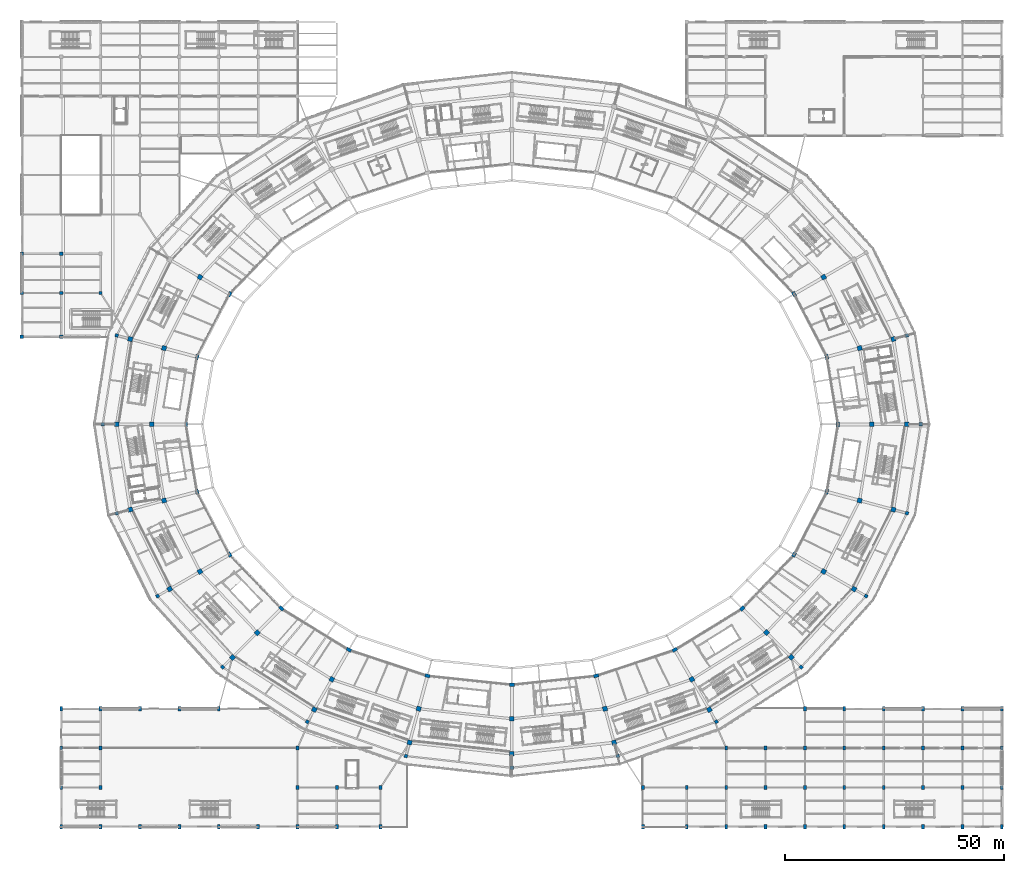
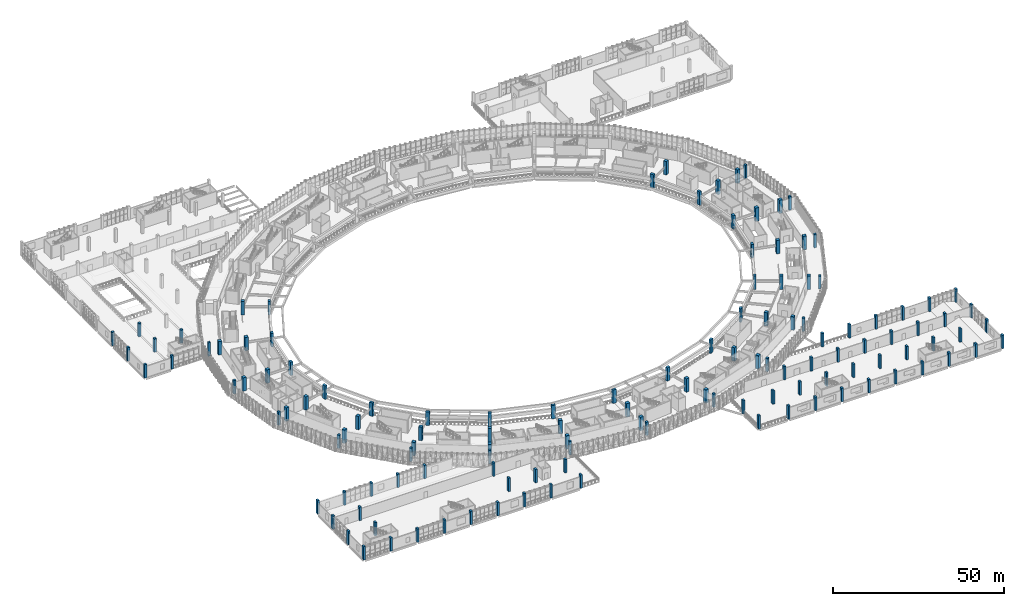
# One storey, part 1 of 179: 127 columns.
"""IFC4 building model written with IfcOpenShell, lengths in metres."""

from ifc_helpers import new_model, si_unit, direction, frame, origin, origin_2d, place, context, subcontext, project, spatial, rectangle, extrude, material, material_profile, profile_set, type_object, element, save


model = new_model("IFC4")

# Units and contexts
model_context = context("Model", 3, precision=1e-05, world=origin(), true_north=direction((0.0, 1.0)))
body_context = subcontext(model_context, "Body", "Model", "MODEL_VIEW")
ifc_project = project(units=[si_unit("LENGTHUNIT", "METRE"), si_unit("AREAUNIT", "SQUARE_METRE"), si_unit("VOLUMEUNIT", "CUBIC_METRE"), si_unit("PLANEANGLEUNIT", "RADIAN"), si_unit("MASSUNIT", "GRAM", prefix="KILO")], contexts=[model_context])

# Site, building, storey
site_placement = place(None, origin())
site = spatial("IfcSite", under=ifc_project, at=site_placement, CompositionType="ELEMENT")
building_placement = place(site_placement, origin())
building = spatial("IfcBuilding", under=site, at=building_placement, Name="Zevraka Park Crest Stadium", CompositionType="ELEMENT")
storey_placement = place(building_placement, frame((0.0, 0.0, 10.199951171875)))
storey = spatial("IfcBuildingStorey", under=building, at=storey_placement, Name="L02", CompositionType="ELEMENT", Elevation=10.199951171875)

# Columns
ifc_material_1 = material(Name="Concrete C40/50", Category="concrete")
ifc_material_profile_1 = material_profile(ifc_material_1, rectangle(XDim=1.050048828125, YDim=1.050048828125, at=origin_2d()), Name="RC 1050x1050")
ifc_profile_set_1 = profile_set([ifc_material_profile_1], Name="Concrete C40/50")
column_type_1 = type_object("IfcColumnType", Name="C03", PredefinedType="COLUMN", material=ifc_profile_set_1)
for number, where, z_axis, x_axis, name in (
    (1, (202.300048828125, 92.0, 0.0), (0.0, 0.0, 1.0), (1.0, 0.0, 0.0), "Perimeter Ring Column C03 L02-D-00"),
    (2, (194.300048828125, 92.0, 0.0), (0.0, 0.0, 1.0), (1.0, 0.0, 0.0), "Concourse Mid Column C03 L02-C-00"),
    (3, (199.222900390625, 111.489013671875, 0.0), (0.0, 0.0, 1.0), (0.965925826289, 0.258819045103, 0.0), "Perimeter Ring Column C03 L02-D-01"),
    (4, (191.49609375, 109.4189453125, 0.0), (0.0, 0.0, 1.0), (0.965925826289, 0.258819045103, 0.0), "Concourse Mid Column C03 L02-C-01"),
    (5, (183.27392578125, 125.64990234375, 0.0), (0.0, 0.0, 1.0), (0.866025403784, 0.5, 0.0), "Concourse Mid Column C03 L02-C-02"),
    (6, (40.72607421875, 125.64990234375, 0.0), (0.0, 0.0, 1.0), (-0.866025403784, 0.5, 0.0), "Concourse Mid Column C03 L02-C-10"),
    (7, (24.777099609375, 111.489013671875, 0.0), (0.0, 0.0, 1.0), (-0.965925826289, 0.258819045103, 0.0), "Perimeter Ring Column C03 L02-D-11"),
    (8, (32.50390625, 109.4189453125, 0.0), (0.0, 0.0, 1.0), (-0.965925826289, 0.258819045103, 0.0), "Concourse Mid Column C03 L02-C-11"),
    (9, (21.699951171875, 92.0, 0.0), (0.0, 0.0, 1.0), (1.0, 0.0, 0.0), "Perimeter Ring Column C03 L02-D-12"),
    (10, (29.699951171875, 92.0, 0.0), (0.0, 0.0, 1.0), (1.0, 0.0, 0.0), "Concourse Mid Column C03 L02-C-12"),
    (11, (24.777099609375, 72.510986328125, 0.0), (0.0, 0.0, 1.0), (0.965925826289, 0.258819045103, 0.0), "Perimeter Ring Column C03 L02-D-13"),
    (12, (32.50390625, 74.5810546875, 0.0), (0.0, 0.0, 1.0), (0.965925826289, 0.258819045103, 0.0), "Concourse Mid Column C03 L02-C-13"),
    (13, (33.798095703125, 54.35009765625, 0.0), (0.0, 0.0, 1.0), (0.866025403784, 0.5, 0.0), "Perimeter Ring Column C03 L02-D-14"),
    (14, (40.72607421875, 58.35009765625, 0.0), (0.0, 0.0, 1.0), (0.866025403784, 0.5, 0.0), "Concourse Mid Column C03 L02-C-14"),
    (15, (48.14794921875, 38.7548828125, 0.0), (0.0, 0.0, 1.0), (0.707106781187, 0.707106781187, 0.0), "Perimeter Ring Column C03 L02-D-15"),
    (16, (53.804931640625, 44.412109375, 0.0), (0.0, 0.0, 1.0), (0.707106781187, 0.707106781187, 0.0), "Concourse Mid Column C03 L02-C-15"),
    (17, (66.85009765625, 26.7880859375, 0.0), (0.0, 0.0, 1.0), (0.5, 0.866025403784, 0.0), "Perimeter Ring Column C03 L02-D-16"),
    (18, (70.85009765625, 33.716064453125, 0.0), (0.0, 0.0, 1.0), (0.5, 0.866025403784, 0.0), "Concourse Mid Column C03 L02-C-16"),
    (19, (88.62890625, 19.26611328125, 0.0), (0.0, 0.0, 1.0), (0.258819045103, 0.965925826289, 0.0), "Perimeter Ring Column C03 L02-D-17"),
    (20, (90.698974609375, 26.992919921875, 0.0), (0.0, 0.0, 1.0), (0.258819045103, 0.965925826289, 0.0), "Concourse Mid Column C03 L02-C-17"),
    (21, (112.0, 16.699951171875, 0.0), (0.0, 0.0, 1.0), (0.0, 1.0, 0.0), "Perimeter Ring Column C03 L02-D-18"),
    (22, (112.0, 24.699951171875, 0.0), (0.0, 0.0, 1.0), (0.0, 1.0, 0.0), "Concourse Mid Column C03 L02-C-18"),
    (23, (135.37109375, 19.26611328125, 0.0), (0.0, 0.0, 1.0), (-0.258819045103, 0.965925826289, 0.0), "Perimeter Ring Column C03 L02-D-19"),
    (24, (133.301025390625, 26.992919921875, 0.0), (0.0, 0.0, 1.0), (-0.258819045103, 0.965925826289, 0.0), "Concourse Mid Column C03 L02-C-19"),
    (25, (157.14990234375, 26.7880859375, 0.0), (0.0, 0.0, 1.0), (-0.5, 0.866025403784, 0.0), "Perimeter Ring Column C03 L02-D-20"),
    (26, (153.14990234375, 33.716064453125, 0.0), (0.0, 0.0, 1.0), (-0.5, 0.866025403784, 0.0), "Concourse Mid Column C03 L02-C-20"),
    (27, (175.85205078125, 38.7548828125, 0.0), (0.0, 0.0, 1.0), (-0.707106781187, 0.707106781187, 0.0), "Perimeter Ring Column C03 L02-D-21"),
    (28, (170.195068359375, 44.412109375, 0.0), (0.0, 0.0, 1.0), (-0.707106781187, 0.707106781187, 0.0), "Concourse Mid Column C03 L02-C-21"),
    (29, (190.201904296875, 54.35009765625, 0.0), (0.0, 0.0, 1.0), (-0.866025403784, 0.5, 0.0), "Perimeter Ring Column C03 L02-D-22"),
    (30, (183.27392578125, 58.35009765625, 0.0), (0.0, 0.0, 1.0), (-0.866025403784, 0.5, 0.0), "Concourse Mid Column C03 L02-C-22"),
    (31, (199.222900390625, 72.510986328125, 0.0), (0.0, 0.0, 1.0), (-0.965925826289, 0.258819045103, 0.0), "Perimeter Ring Column C03 L02-D-23"),
    (32, (191.49609375, 74.5810546875, 0.0), (0.0, 0.0, 1.0), (-0.965925826289, 0.258819045103, 0.0), "Concourse Mid Column C03 L02-C-23"),
):
    element("IfcColumn", number, at=place(storey_placement, frame(where, z_axis=z_axis, x_axis=x_axis)), inside=storey, type_object=column_type_1, Name=name, PredefinedType="COLUMN", context=body_context, shape_type="SweptSolid", body=[
        extrude(rectangle(XDim=1.050048828125, YDim=1.050048828125, at=origin_2d()), origin(), (0.0, 0.0, 1.0), 4.800048828125),
    ])
ifc_material_2 = material(Name="Concrete C40/50", Category="concrete")
ifc_material_profile_2 = material_profile(ifc_material_2, rectangle(XDim=0.75, YDim=0.75, at=origin_2d()), Name="RC 750x750")
ifc_profile_set_2 = profile_set([ifc_material_profile_2], Name="Concrete C40/50")
column_type_2 = type_object("IfcColumnType", Name="C05", PredefinedType="COLUMN", material=ifc_profile_set_2)
for number, where, z_axis, x_axis, name in (
    (33, (205.5, 92.0, 0.0), (0.0, 0.0, 1.0), (1.0, 0.0, 0.0), "Arcade Cumba Column C05 L02-E-00"),
    (34, (202.31396484375, 112.31689453125, 0.0), (0.0, 0.0, 1.0), (0.965925826289, 0.258819045103, 0.0), "Arcade Cumba Column C05 L02-E-01"),
    (35, (21.68603515625, 112.31689453125, 0.0), (0.0, 0.0, 1.0), (-0.965925826289, 0.258819045103, 0.0), "Arcade Cumba Column C05 L02-E-11"),
    (36, (18.5, 92.0, 0.0), (0.0, 0.0, 1.0), (1.0, 0.0, 0.0), "Arcade Cumba Column C05 L02-E-12"),
    (37, (21.68603515625, 71.68310546875, 0.0), (0.0, 0.0, 1.0), (0.965925826289, 0.258819045103, 0.0), "Arcade Cumba Column C05 L02-E-13"),
    (38, (31.027099609375, 52.75, 0.0), (0.0, 0.0, 1.0), (0.866025403784, 0.5, 0.0), "Arcade Cumba Column C05 L02-E-14"),
    (39, (45.885986328125, 36.491943359375, 0.0), (0.0, 0.0, 1.0), (0.707106781187, 0.707106781187, 0.0), "Arcade Cumba Column C05 L02-E-15"),
    (40, (65.25, 24.01708984375, 0.0), (0.0, 0.0, 1.0), (0.5, 0.866025403784, 0.0), "Arcade Cumba Column C05 L02-E-16"),
    (41, (87.800048828125, 16.175048828125, 0.0), (0.0, 0.0, 1.0), (0.258819045103, 0.965925826289, 0.0), "Arcade Cumba Column C05 L02-E-17"),
    (42, (112.0, 13.5, 0.0), (0.0, 0.0, 1.0), (0.0, 1.0, 0.0), "Arcade Cumba Column C05 L02-E-18"),
    (43, (136.199951171875, 16.175048828125, 0.0), (0.0, 0.0, 1.0), (-0.258819045103, 0.965925826289, 0.0), "Arcade Cumba Column C05 L02-E-19"),
    (44, (158.75, 24.01708984375, 0.0), (0.0, 0.0, 1.0), (-0.5, 0.866025403784, 0.0), "Arcade Cumba Column C05 L02-E-20"),
    (45, (178.114013671875, 36.491943359375, 0.0), (0.0, 0.0, 1.0), (-0.707106781187, 0.707106781187, 0.0), "Arcade Cumba Column C05 L02-E-21"),
    (46, (192.972900390625, 52.75, 0.0), (0.0, 0.0, 1.0), (-0.866025403784, 0.5, 0.0), "Arcade Cumba Column C05 L02-E-22"),
    (47, (202.31396484375, 71.68310546875, 0.0), (0.0, 0.0, 1.0), (-0.965925826289, 0.258819045103, 0.0), "Arcade Cumba Column C05 L02-E-23"),
    (48, (0.0, 112.0, 0.0), (0.0, 0.0, 1.0), (1.0, 0.0, 0.0), "Wing Column C05 L02-1/N"),
    (49, (0.0, 122.0, 0.0), (0.0, 0.0, 1.0), (1.0, 0.0, 0.0), "Wing Column C05 L02-1/P"),
    (50, (0.0, 131.0, 0.0), (0.0, 0.0, 1.0), (1.0, 0.0, 0.0), "Wing Column C05 L02-1/Q"),
    (51, (9.0, 112.0, 0.0), (0.0, 0.0, 1.0), (1.0, 0.0, 0.0), "Wing Column C05 L02-2/N"),
    (52, (9.0, 122.0, 0.0), (0.0, 0.0, 1.0), (1.0, 0.0, 0.0), "Wing Column C05 L02-2/P"),
    (53, (9.0, 131.0, 0.0), (0.0, 0.0, 1.0), (1.0, 0.0, 0.0), "Wing Column C05 L02-2/Q"),
    (54, (18.0, 122.0, 0.0), (0.0, 0.0, 1.0), (1.0, 0.0, 0.0), "Wing Column C05 L02-3/P"),
):
    element("IfcColumn", number, at=place(storey_placement, frame(where, z_axis=z_axis, x_axis=x_axis)), inside=storey, type_object=column_type_2, Name=name, PredefinedType="COLUMN", context=body_context, shape_type="SweptSolid", body=[
        extrude(rectangle(XDim=0.75, YDim=0.75, at=origin_2d()), origin(), (0.0, 0.0, 1.0), 4.800048828125),
    ])
ifc_material_3 = material(Name="Concrete C40/50", Category="concrete")
ifc_material_profile_3 = material_profile(ifc_material_3, rectangle(XDim=0.75, YDim=1.14990234375, at=origin_2d()), Name="RC 1150x750")
ifc_profile_set_3 = profile_set([ifc_material_profile_3], Name="Concrete C40/50")
column_type_3 = type_object("IfcColumnType", Name="C10", PredefinedType="COLUMN", material=ifc_profile_set_3)
for number, where, z_axis, x_axis, name in (
    (55, (186.5, 92.0, 0.0), (0.0, 0.0, 1.0), (1.0, 0.0, 0.0), "Bowl Main Column C10 L02-B-00"),
    (56, (183.9609375, 107.39990234375, 0.0), (0.0, 0.0, 1.0), (0.965925826289, 0.258819045103, 0.0), "Bowl Main Column C10 L02-B-01"),
    (57, (176.51904296875, 121.75, 0.0), (0.0, 0.0, 1.0), (0.866025403784, 0.5, 0.0), "Bowl Main Column C10 L02-B-02"),
    (58, (47.48095703125, 121.75, 0.0), (0.0, 0.0, 1.0), (-0.866025403784, 0.5, 0.0), "Bowl Main Column C10 L02-B-10"),
    (59, (40.0390625, 107.39990234375, 0.0), (0.0, 0.0, 1.0), (-0.965925826289, 0.258819045103, 0.0), "Bowl Main Column C10 L02-B-11"),
    (60, (37.5, 92.0, 0.0), (0.0, 0.0, 1.0), (1.0, 0.0, 0.0), "Bowl Main Column C10 L02-B-12"),
    (61, (40.0390625, 76.60009765625, 0.0), (0.0, 0.0, 1.0), (0.965925826289, 0.258819045103, 0.0), "Bowl Main Column C10 L02-B-13"),
    (62, (47.48095703125, 62.25, 0.0), (0.0, 0.0, 1.0), (0.866025403784, 0.5, 0.0), "Bowl Main Column C10 L02-B-14"),
    (63, (59.321044921875, 49.927001953125, 0.0), (0.0, 0.0, 1.0), (0.707106781187, 0.707106781187, 0.0), "Bowl Main Column C10 L02-B-15"),
    (64, (74.75, 40.470947265625, 0.0), (0.0, 0.0, 1.0), (0.5, 0.866025403784, 0.0), "Bowl Main Column C10 L02-B-16"),
    (65, (92.718017578125, 34.527099609375, 0.0), (0.0, 0.0, 1.0), (0.258819045103, 0.965925826289, 0.0), "Bowl Main Column C10 L02-B-17"),
    (66, (112.0, 32.5, 0.0), (0.0, 0.0, 1.0), (0.0, 1.0, 0.0), "Bowl Main Column C10 L02-B-18"),
    (67, (131.281982421875, 34.527099609375, 0.0), (0.0, 0.0, 1.0), (-0.258819045103, 0.965925826289, 0.0), "Bowl Main Column C10 L02-B-19"),
    (68, (149.25, 40.470947265625, 0.0), (0.0, 0.0, 1.0), (-0.5, 0.866025403784, 0.0), "Bowl Main Column C10 L02-B-20"),
    (69, (164.678955078125, 49.927001953125, 0.0), (0.0, 0.0, 1.0), (-0.707106781187, 0.707106781187, 0.0), "Bowl Main Column C10 L02-B-21"),
    (70, (176.51904296875, 62.25, 0.0), (0.0, 0.0, 1.0), (-0.866025403784, 0.5, 0.0), "Bowl Main Column C10 L02-B-22"),
    (71, (183.9609375, 76.60009765625, 0.0), (0.0, 0.0, 1.0), (-0.965925826289, 0.258819045103, 0.0), "Bowl Main Column C10 L02-B-23"),
):
    element("IfcColumn", number, at=place(storey_placement, frame(where, z_axis=z_axis, x_axis=x_axis)), inside=storey, type_object=column_type_3, Name=name, PredefinedType="COLUMN", context=body_context, shape_type="SweptSolid", body=[
        extrude(rectangle(XDim=0.75, YDim=1.14990234375, at=origin_2d()), origin(), (0.0, 0.0, 1.0), 4.800048828125),
    ])
ifc_material_4 = material(Name="Concrete C40/50", Category="concrete")
ifc_material_profile_4 = material_profile(ifc_material_4, rectangle(XDim=0.64990234375, YDim=0.949951171875, at=origin_2d()), Name="RC 950x650")
ifc_profile_set_4 = profile_set([ifc_material_profile_4], Name="Concrete C40/50")
column_type_4 = type_object("IfcColumnType", Name="C11", PredefinedType="COLUMN", material=ifc_profile_set_4)
for number, where, z_axis, x_axis, name in (
    (72, (9.0, 0.0, 0.0), (0.0, 0.0, 1.0), (1.0, 0.0, 0.0), "Wing Column C11 L02-2/A"),
    (73, (9.0, 9.0, 0.0), (0.0, 0.0, 1.0), (1.0, 0.0, 0.0), "Wing Column C11 L02-2/B"),
    (74, (9.0, 18.0, 0.0), (0.0, 0.0, 1.0), (1.0, 0.0, 0.0), "Wing Column C11 L02-2/C"),
    (75, (9.0, 27.0, 0.0), (0.0, 0.0, 1.0), (1.0, 0.0, 0.0), "Wing Column C11 L02-2/D"),
    (76, (18.0, 0.0, 0.0), (0.0, 0.0, 1.0), (1.0, 0.0, 0.0), "Wing Column C11 L02-3/A"),
    (77, (18.0, 9.0, 0.0), (0.0, 0.0, 1.0), (1.0, 0.0, 0.0), "Wing Column C11 L02-3/B"),
    (78, (18.0, 18.0, 0.0), (0.0, 0.0, 1.0), (1.0, 0.0, 0.0), "Wing Column C11 L02-3/C"),
    (79, (18.0, 27.0, 0.0), (0.0, 0.0, 1.0), (1.0, 0.0, 0.0), "Wing Column C11 L02-3/D"),
    (80, (27.0, 0.0, 0.0), (0.0, 0.0, 1.0), (1.0, 0.0, 0.0), "Wing Column C11 L02-4/A"),
    (81, (27.0, 27.0, 0.0), (0.0, 0.0, 1.0), (1.0, 0.0, 0.0), "Wing Column C11 L02-4/D"),
    (82, (36.0, 0.0, 0.0), (0.0, 0.0, 1.0), (1.0, 0.0, 0.0), "Wing Column C11 L02-5/A"),
    (83, (36.0, 27.0, 0.0), (0.0, 0.0, 1.0), (1.0, 0.0, 0.0), "Wing Column C11 L02-5/D"),
    (84, (45.0, 0.0, 0.0), (0.0, 0.0, 1.0), (1.0, 0.0, 0.0), "Wing Column C11 L02-6/A"),
    (85, (45.0, 27.0, 0.0), (0.0, 0.0, 1.0), (1.0, 0.0, 0.0), "Wing Column C11 L02-6/D"),
    (86, (54.0, 0.0, 0.0), (0.0, 0.0, 1.0), (1.0, 0.0, 0.0), "Wing Column C11 L02-7/A"),
    (87, (63.0, 0.0, 0.0), (0.0, 0.0, 1.0), (1.0, 0.0, 0.0), "Wing Column C11 L02-8/A"),
    (88, (63.0, 9.0, 0.0), (0.0, 0.0, 1.0), (1.0, 0.0, 0.0), "Wing Column C11 L02-8/B"),
    (89, (63.0, 18.0, 0.0), (0.0, 0.0, 1.0), (1.0, 0.0, 0.0), "Wing Column C11 L02-8/C"),
    (90, (72.0, 0.0, 0.0), (0.0, 0.0, 1.0), (1.0, 0.0, 0.0), "Wing Column C11 L02-9/A"),
    (91, (72.0, 9.0, 0.0), (0.0, 0.0, 1.0), (1.0, 0.0, 0.0), "Wing Column C11 L02-9/B"),
    (92, (82.0, 0.0, 0.0), (0.0, 0.0, 1.0), (1.0, 0.0, 0.0), "Wing Column C11 L02-10/A"),
    (93, (82.0, 9.0, 0.0), (0.0, 0.0, 1.0), (1.0, 0.0, 0.0), "Wing Column C11 L02-10/B"),
    (94, (142.0, 0.0, 0.0), (0.0, 0.0, 1.0), (1.0, 0.0, 0.0), "Wing Column C11 L02-16/A"),
    (95, (142.0, 9.0, 0.0), (0.0, 0.0, 1.0), (1.0, 0.0, 0.0), "Wing Column C11 L02-16/B"),
    (96, (152.0, 0.0, 0.0), (0.0, 0.0, 1.0), (1.0, 0.0, 0.0), "Wing Column C11 L02-17/A"),
    (97, (152.0, 9.0, 0.0), (0.0, 0.0, 1.0), (1.0, 0.0, 0.0), "Wing Column C11 L02-17/B"),
    (98, (161.0, 0.0, 0.0), (0.0, 0.0, 1.0), (1.0, 0.0, 0.0), "Wing Column C11 L02-18/A"),
    (99, (161.0, 9.0, 0.0), (0.0, 0.0, 1.0), (1.0, 0.0, 0.0), "Wing Column C11 L02-18/B"),
    (100, (161.0, 18.0, 0.0), (0.0, 0.0, 1.0), (1.0, 0.0, 0.0), "Wing Column C11 L02-18/C"),
    (101, (170.0, 0.0, 0.0), (0.0, 0.0, 1.0), (1.0, 0.0, 0.0), "Wing Column C11 L02-19/A"),
    (102, (170.0, 9.0, 0.0), (0.0, 0.0, 1.0), (1.0, 0.0, 0.0), "Wing Column C11 L02-19/B"),
    (103, (170.0, 18.0, 0.0), (0.0, 0.0, 1.0), (1.0, 0.0, 0.0), "Wing Column C11 L02-19/C"),
    (104, (179.0, 0.0, 0.0), (0.0, 0.0, 1.0), (1.0, 0.0, 0.0), "Wing Column C11 L02-20/A"),
    (105, (179.0, 9.0, 0.0), (0.0, 0.0, 1.0), (1.0, 0.0, 0.0), "Wing Column C11 L02-20/B"),
    (106, (179.0, 18.0, 0.0), (0.0, 0.0, 1.0), (1.0, 0.0, 0.0), "Wing Column C11 L02-20/C"),
    (107, (179.0, 27.0, 0.0), (0.0, 0.0, 1.0), (1.0, 0.0, 0.0), "Wing Column C11 L02-20/D"),
    (108, (188.0, 0.0, 0.0), (0.0, 0.0, 1.0), (1.0, 0.0, 0.0), "Wing Column C11 L02-21/A"),
    (109, (188.0, 9.0, 0.0), (0.0, 0.0, 1.0), (1.0, 0.0, 0.0), "Wing Column C11 L02-21/B"),
    (110, (188.0, 18.0, 0.0), (0.0, 0.0, 1.0), (1.0, 0.0, 0.0), "Wing Column C11 L02-21/C"),
    (111, (188.0, 27.0, 0.0), (0.0, 0.0, 1.0), (1.0, 0.0, 0.0), "Wing Column C11 L02-21/D"),
    (112, (197.0, 0.0, 0.0), (0.0, 0.0, 1.0), (1.0, 0.0, 0.0), "Wing Column C11 L02-22/A"),
    (113, (197.0, 9.0, 0.0), (0.0, 0.0, 1.0), (1.0, 0.0, 0.0), "Wing Column C11 L02-22/B"),
    (114, (197.0, 18.0, 0.0), (0.0, 0.0, 1.0), (1.0, 0.0, 0.0), "Wing Column C11 L02-22/C"),
    (115, (197.0, 27.0, 0.0), (0.0, 0.0, 1.0), (1.0, 0.0, 0.0), "Wing Column C11 L02-22/D"),
    (116, (206.0, 0.0, 0.0), (0.0, 0.0, 1.0), (1.0, 0.0, 0.0), "Wing Column C11 L02-23/A"),
    (117, (206.0, 9.0, 0.0), (0.0, 0.0, 1.0), (1.0, 0.0, 0.0), "Wing Column C11 L02-23/B"),
    (118, (206.0, 18.0, 0.0), (0.0, 0.0, 1.0), (1.0, 0.0, 0.0), "Wing Column C11 L02-23/C"),
    (119, (206.0, 27.0, 0.0), (0.0, 0.0, 1.0), (1.0, 0.0, 0.0), "Wing Column C11 L02-23/D"),
    (120, (215.0, 0.0, 0.0), (0.0, 0.0, 1.0), (1.0, 0.0, 0.0), "Wing Column C11 L02-24/A"),
    (121, (215.0, 9.0, 0.0), (0.0, 0.0, 1.0), (1.0, 0.0, 0.0), "Wing Column C11 L02-24/B"),
    (122, (215.0, 18.0, 0.0), (0.0, 0.0, 1.0), (1.0, 0.0, 0.0), "Wing Column C11 L02-24/C"),
    (123, (215.0, 27.0, 0.0), (0.0, 0.0, 1.0), (1.0, 0.0, 0.0), "Wing Column C11 L02-24/D"),
    (124, (224.0, 0.0, 0.0), (0.0, 0.0, 1.0), (1.0, 0.0, 0.0), "Wing Column C11 L02-25/A"),
    (125, (224.0, 9.0, 0.0), (0.0, 0.0, 1.0), (1.0, 0.0, 0.0), "Wing Column C11 L02-25/B"),
    (126, (224.0, 18.0, 0.0), (0.0, 0.0, 1.0), (1.0, 0.0, 0.0), "Wing Column C11 L02-25/C"),
    (127, (224.0, 27.0, 0.0), (0.0, 0.0, 1.0), (1.0, 0.0, 0.0), "Wing Column C11 L02-25/D"),
):
    element("IfcColumn", number, at=place(storey_placement, frame(where, z_axis=z_axis, x_axis=x_axis)), inside=storey, type_object=column_type_4, Name=name, PredefinedType="COLUMN", context=body_context, shape_type="SweptSolid", body=[
        extrude(rectangle(XDim=0.64990234375, YDim=0.949951171875, at=origin_2d()), origin(), (0.0, 0.0, 1.0), 4.800048828125),
    ])

save(model, "model.ifc")
